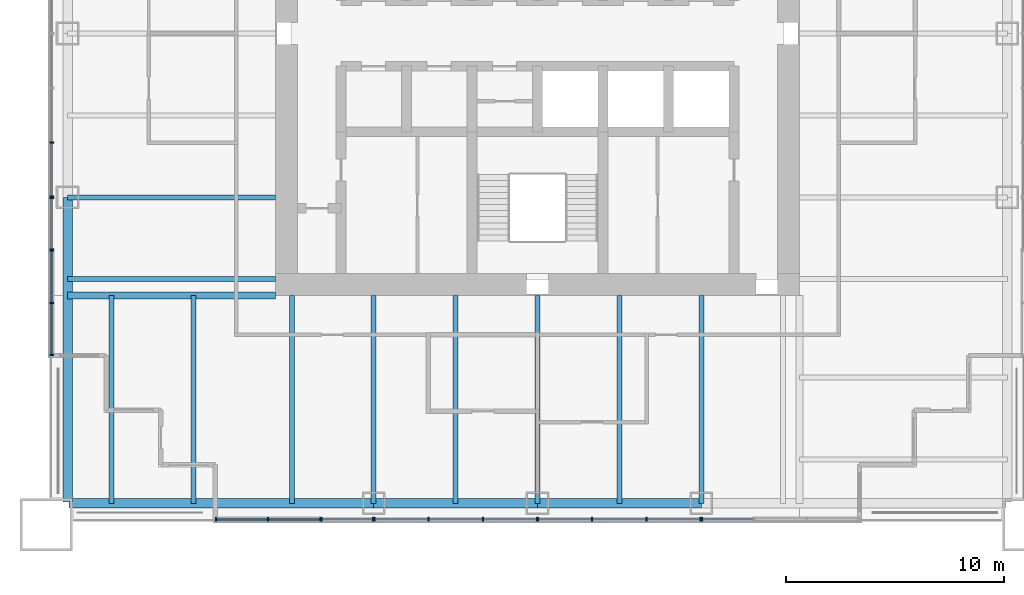
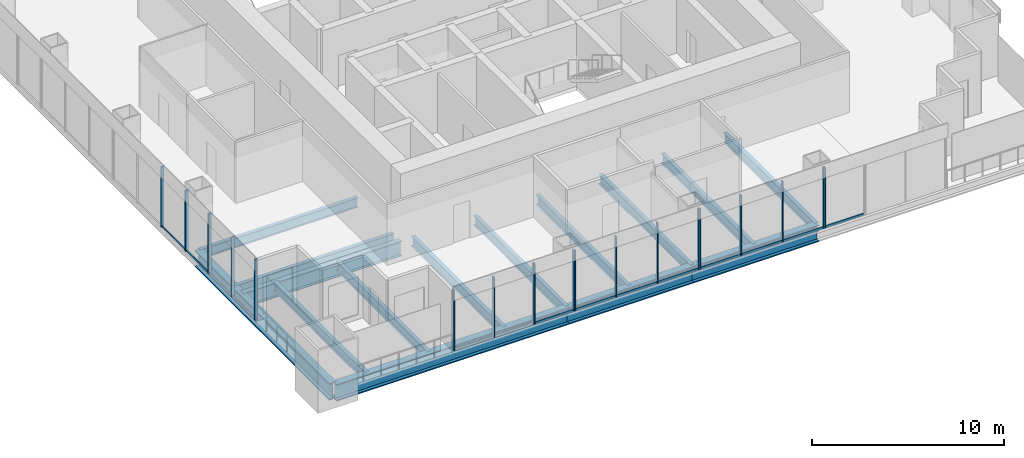
# One storey, part 2 of 13: 35 members, 15 beams, 8 elements without a shape of their own.
"""IFC4 building model written with IfcOpenShell, lengths in metres."""

from ifc_helpers import new_model, si_unit, direction, frame, origin, origin_2d, place, context, subcontext, project, spatial, rectangle, i_section, extrude, material, material_profile, profile_set, type_object, element, aggregate, save


model = new_model("IFC4")

# Units and contexts
model_context = context("Model", 3, precision=1e-05, world=origin(), true_north=direction((0.0, 1.0)))
body_context = subcontext(model_context, "Body", "Model", "MODEL_VIEW")
ifc_project = project(units=[si_unit("LENGTHUNIT", "METRE"), si_unit("AREAUNIT", "SQUARE_METRE"), si_unit("VOLUMEUNIT", "CUBIC_METRE"), si_unit("PLANEANGLEUNIT", "RADIAN"), si_unit("MASSUNIT", "GRAM", prefix="KILO")], contexts=[model_context])

# Site, building, storey
site_placement = place(None, origin())
site = spatial("IfcSite", under=ifc_project, at=site_placement, CompositionType="ELEMENT")
building_placement = place(site_placement, origin())
building = spatial("IfcBuilding", under=site, at=building_placement, Name="Tarangal Relay Tower", CompositionType="ELEMENT")
storey_placement = place(building_placement, frame((0.0, 0.0, 221.89990234375)))
storey = spatial("IfcBuildingStorey", under=building, at=storey_placement, Name="L47", CompositionType="ELEMENT", Elevation=221.89990234375)

# Beams
ifc_material_1 = material(Name="Steel ASTM A992", Category="steel")
ifc_material_profile_1 = material_profile(ifc_material_1, i_section(OverallWidth=0.227783203125, OverallDepth=0.60205078125, WebThickness=0.010498046875, FlangeThickness=0.014892578125, at=origin_2d()), Name="W24X68")
ifc_profile_set_1 = profile_set([ifc_material_profile_1], Name="Steel ASTM A992")
beam_type_1 = type_object("IfcBeamType", Name="Corner beam W24X68", PredefinedType="JOIST", material=ifc_profile_set_1)
for number, where, z_axis, x_axis, name in (
    (1, (-15.75, -12.0, -0.450927734375), (0.0, -1.0, 0.0), (1.0, 0.0, 0.0), "Corner beam CB11 S L47"),
    (2, (-19.5, -12.0, -0.450927734375), (0.0, -1.0, 0.0), (1.0, 0.0, 0.0), "Corner beam CB11 S L47"),
):
    element("IfcBeam", number, at=place(storey_placement, frame(where, z_axis=z_axis, x_axis=x_axis)), inside=storey, type_object=beam_type_1, Name=name, PredefinedType="JOIST", context=body_context, shape_type="SweptSolid", body=[
        extrude(i_section(OverallWidth=0.227783203125, OverallDepth=0.60205078125, WebThickness=0.010498046875, FlangeThickness=0.014892578125, at=origin_2d()), origin(), (0.0, 0.0, 1.0), 9.514892578125),
    ])
ifc_material_profile_2 = material_profile(ifc_material_1, i_section(OverallWidth=0.307373046875, OverallDepth=0.9423828125, WebThickness=0.022216796875, FlangeThickness=0.039794921875, at=origin_2d()), Name="W36X232")
ifc_profile_set_2 = profile_set([ifc_material_profile_2], Name="Steel ASTM A992")
beam_type_2 = type_object("IfcBeamType", Name="Corner girder W36X232", PredefinedType="BEAM", material=ifc_profile_set_2)
beam_placement = place(storey_placement, frame((-12.0, -12.0, -0.62109375), z_axis=(-1.0, 0.0, 0.0), x_axis=(0.0, -1.0, 0.0)))
element("IfcBeam", 3, at=beam_placement, inside=storey, type_object=beam_type_2, Name="Corner girder CG4 S L47", PredefinedType="BEAM", context=body_context, shape_type="SweptSolid", body=[
    extrude(i_section(OverallWidth=0.307373046875, OverallDepth=0.9423828125, WebThickness=0.022216796875, FlangeThickness=0.039794921875, at=origin_2d()), origin(), (0.0, 0.0, 1.0), 9.514892578125),
])
ifc_material_profile_3 = material_profile(ifc_material_1, i_section(OverallWidth=0.41650390625, OverallDepth=1.0693359375, WebThickness=0.0390625, FlangeThickness=0.070068359375, at=origin_2d()), Name="W40X503")
ifc_profile_set_3 = profile_set([ifc_material_profile_3], Name="Steel ASTM A992")
beam_type_3 = type_object("IfcBeamType", Name="Edge girder W40X503", PredefinedType="SPANDREL", material=ifc_profile_set_3)
for number, where, z_axis, x_axis, name in (
    (4, (7.5, -21.514892578125, -0.6845703125), (-1.0, 0.0, 0.0), (0.0, -1.0, 0.0), "Edge girder EG8 S L47"),
    (5, (0.0, -21.514892578125, -0.6845703125), (-1.0, 0.0, 0.0), (0.0, -1.0, 0.0), "Edge girder EG8 S L47"),
):
    element("IfcBeam", number, at=place(storey_placement, frame(where, z_axis=z_axis, x_axis=x_axis)), inside=storey, type_object=beam_type_3, Name=name, PredefinedType="SPANDREL", context=body_context, shape_type="SweptSolid", body=[
        extrude(i_section(OverallWidth=0.41650390625, OverallDepth=1.0693359375, WebThickness=0.0390625, FlangeThickness=0.070068359375, at=origin_2d()), origin(), (0.0, 0.0, 1.0), 7.5),
    ])
for number, where, z_axis, x_axis, name in (
    (6, (-7.5, -21.514892578125, -0.6845703125), (-1.0, 0.0, 0.0), (0.0, -1.0, 0.0), "Edge girder EG8 S L47"),
    (7, (-21.514892578125, -21.449951171875, -0.6845703125), (0.0, 1.0, 0.0), (-1.0, 0.0, 0.0), "Edge girder EG8 W L47"),
):
    element("IfcBeam", number, at=place(storey_placement, frame(where, z_axis=z_axis, x_axis=x_axis)), inside=storey, type_object=beam_type_3, Name=name, PredefinedType="SPANDREL", context=body_context, shape_type="SweptSolid", body=[
        extrude(i_section(OverallWidth=0.41650390625, OverallDepth=1.0693359375, WebThickness=0.0390625, FlangeThickness=0.070068359375, at=origin_2d()), origin(), (0.0, 0.0, 1.0), 13.949951171875),
    ])
ifc_material_profile_4 = material_profile(ifc_material_1, i_section(OverallWidth=0.22900390625, OverallDepth=0.612060546875, WebThickness=0.011962890625, FlangeThickness=0.01953125, at=origin_2d()), Name="W24X84")
ifc_profile_set_4 = profile_set([ifc_material_profile_4], Name="Steel ASTM A992")
beam_type_4 = type_object("IfcBeamType", Name="Floor beam W24X84", PredefinedType="BEAM", material=ifc_profile_set_4)
for number, where, z_axis, x_axis, name in (
    (8, (7.5, -12.0, -0.455810546875), (0.0, -1.0, 0.0), (1.0, 0.0, 0.0), "Floor beam RB12 S L47"),
    (9, (3.75, -12.0, -0.455810546875), (0.0, -1.0, 0.0), (1.0, 0.0, 0.0), "Floor beam RB12 S L47"),
    (10, (0.0, -12.0, -0.455810546875), (0.0, -1.0, 0.0), (1.0, 0.0, 0.0), "Floor beam RB12 S L47"),
    (11, (-3.75, -12.0, -0.455810546875), (0.0, -1.0, 0.0), (1.0, 0.0, 0.0), "Floor beam RB12 S L47"),
    (12, (-7.5, -12.0, -0.455810546875), (0.0, -1.0, 0.0), (1.0, 0.0, 0.0), "Floor beam RB12 S L47"),
    (13, (-11.25, -12.0, -0.455810546875), (0.0, -1.0, 0.0), (1.0, 0.0, 0.0), "Floor beam RB12 S L47"),
    (14, (-12.0, -11.25, -0.455810546875), (-1.0, 0.0, 0.0), (0.0, -1.0, 0.0), "Floor beam RB12 W L47"),
    (15, (-12.0, -7.5, -0.455810546875), (-1.0, 0.0, 0.0), (0.0, -1.0, 0.0), "Floor beam RB12 W L47"),
):
    element("IfcBeam", number, at=place(storey_placement, frame(where, z_axis=z_axis, x_axis=x_axis)), inside=storey, type_object=beam_type_4, Name=name, PredefinedType="BEAM", context=body_context, shape_type="SweptSolid", body=[
        extrude(i_section(OverallWidth=0.22900390625, OverallDepth=0.612060546875, WebThickness=0.011962890625, FlangeThickness=0.01953125, at=origin_2d()), origin(), (0.0, 0.0, 1.0), 9.514892578125),
    ])

# Curtain wall, member
ifc_material_2 = material(Name="Unitised curtain wall, dark glass and black aluminium", Category="aluminium")
curtain_wall_type_1 = type_object("IfcCurtainWallType", Name="Curtain wall CW-A", PredefinedType="USERDEFINED", material=ifc_material_2)
curtain_wall_1_placement = place(storey_placement, origin())
curtain_wall_1 = element("IfcCurtainWall", 16, at=curtain_wall_1_placement, inside=storey, type_object=curtain_wall_type_1, Name="Curtain wall CW-A S facade L47", ObjectType="UNITISED CURTAIN WALL", PredefinedType="USERDEFINED")
ifc_material_3 = material(Name="Black anodised aluminium mullion", Category="aluminium")
ifc_material_profile_5 = material_profile(ifc_material_3, rectangle(XDim=0.175048828125, YDim=0.06494140625, at=origin_2d()), Name="CW-AM 65X175")
ifc_profile_set_5 = profile_set([ifc_material_profile_5], Name="Black anodised aluminium mullion")
member_type_1 = type_object("IfcMemberType", Name="Mullion CW-A 65 x 175", PredefinedType="MULLION", material=ifc_profile_set_5)
member_1_placement = place(storey_placement, frame((7.532470703125, -22.25, 0.0), z_axis=(0.0, 0.0, 1.0), x_axis=(0.0, -1.0, 0.0)))
member_1 = element("IfcMember", 17, at=member_1_placement, type_object=member_type_1, Name="CW-A mullion 2", PredefinedType="MULLION", context=body_context, shape_type="SweptSolid", body=[
    extrude(rectangle(XDim=0.175048828125, YDim=0.06494140625, at=origin_2d()), origin(), (0.0, 0.0, 1.0), 3.85009765625),
])

# Curtain wall, members
curtain_wall_2_placement = place(storey_placement, origin())
curtain_wall_2 = element("IfcCurtainWall", 18, at=curtain_wall_2_placement, inside=storey, type_object=curtain_wall_type_1, Name="Curtain wall CW-A S facade L47", ObjectType="UNITISED CURTAIN WALL", PredefinedType="USERDEFINED")
member_2_placement = place(storey_placement, frame((7.467529296875, -22.25, 0.0), z_axis=(0.0, 0.0, 1.0), x_axis=(0.0, -1.0, 0.0)))
member_2 = element("IfcMember", 19, at=member_2_placement, type_object=member_type_1, Name="CW-A mullion 1", PredefinedType="MULLION", context=body_context, shape_type="SweptSolid", body=[
    extrude(rectangle(XDim=0.175048828125, YDim=0.06494140625, at=origin_2d()), origin(), (0.0, 0.0, 1.0), 3.85009765625),
])
member_3_placement = place(storey_placement, frame((5.0, -22.25, 0.0), z_axis=(0.0, 0.0, 1.0), x_axis=(0.0, -1.0, 0.0)))
member_3 = element("IfcMember", 20, at=member_3_placement, type_object=member_type_1, Name="CW-A mullion 2", PredefinedType="MULLION", context=body_context, shape_type="SweptSolid", body=[
    extrude(rectangle(XDim=0.175048828125, YDim=0.06494140625, at=origin_2d()), origin(), (0.0, 0.0, 1.0), 3.85009765625),
])
member_4_placement = place(storey_placement, frame((2.5, -22.25, 0.0), z_axis=(0.0, 0.0, 1.0), x_axis=(0.0, -1.0, 0.0)))
member_4 = element("IfcMember", 21, at=member_4_placement, type_object=member_type_1, Name="CW-A mullion 3", PredefinedType="MULLION", context=body_context, shape_type="SweptSolid", body=[
    extrude(rectangle(XDim=0.175048828125, YDim=0.06494140625, at=origin_2d()), origin(), (0.0, 0.0, 1.0), 3.85009765625),
])
member_5_placement = place(storey_placement, frame((0.032470703125, -22.25, 0.0), z_axis=(0.0, 0.0, 1.0), x_axis=(0.0, -1.0, 0.0)))
member_5 = element("IfcMember", 22, at=member_5_placement, type_object=member_type_1, Name="CW-A mullion 4", PredefinedType="MULLION", context=body_context, shape_type="SweptSolid", body=[
    extrude(rectangle(XDim=0.175048828125, YDim=0.06494140625, at=origin_2d()), origin(), (0.0, 0.0, 1.0), 3.85009765625),
])

curtain_wall_3_placement = place(storey_placement, origin())
curtain_wall_3 = element("IfcCurtainWall", 23, at=curtain_wall_3_placement, inside=storey, type_object=curtain_wall_type_1, Name="Curtain wall CW-A S facade L47", ObjectType="UNITISED CURTAIN WALL", PredefinedType="USERDEFINED")
member_6_placement = place(storey_placement, frame((-0.032470703125, -22.25, 0.0), z_axis=(0.0, 0.0, 1.0), x_axis=(0.0, -1.0, 0.0)))
member_6 = element("IfcMember", 24, at=member_6_placement, type_object=member_type_1, Name="CW-A mullion 1", PredefinedType="MULLION", context=body_context, shape_type="SweptSolid", body=[
    extrude(rectangle(XDim=0.175048828125, YDim=0.06494140625, at=origin_2d()), origin(), (0.0, 0.0, 1.0), 3.85009765625),
])
member_7_placement = place(storey_placement, frame((-2.5, -22.25, 0.0), z_axis=(0.0, 0.0, 1.0), x_axis=(0.0, -1.0, 0.0)))
member_7 = element("IfcMember", 25, at=member_7_placement, type_object=member_type_1, Name="CW-A mullion 2", PredefinedType="MULLION", context=body_context, shape_type="SweptSolid", body=[
    extrude(rectangle(XDim=0.175048828125, YDim=0.06494140625, at=origin_2d()), origin(), (0.0, 0.0, 1.0), 3.85009765625),
])
member_8_placement = place(storey_placement, frame((-5.0, -22.25, 0.0), z_axis=(0.0, 0.0, 1.0), x_axis=(0.0, -1.0, 0.0)))
member_8 = element("IfcMember", 26, at=member_8_placement, type_object=member_type_1, Name="CW-A mullion 3", PredefinedType="MULLION", context=body_context, shape_type="SweptSolid", body=[
    extrude(rectangle(XDim=0.175048828125, YDim=0.06494140625, at=origin_2d()), origin(), (0.0, 0.0, 1.0), 3.85009765625),
])
member_9_placement = place(storey_placement, frame((-7.467529296875, -22.25, 0.0), z_axis=(0.0, 0.0, 1.0), x_axis=(0.0, -1.0, 0.0)))
member_9 = element("IfcMember", 27, at=member_9_placement, type_object=member_type_1, Name="CW-A mullion 4", PredefinedType="MULLION", context=body_context, shape_type="SweptSolid", body=[
    extrude(rectangle(XDim=0.175048828125, YDim=0.06494140625, at=origin_2d()), origin(), (0.0, 0.0, 1.0), 3.85009765625),
])

curtain_wall_4_placement = place(storey_placement, origin())
curtain_wall_4 = element("IfcCurtainWall", 28, at=curtain_wall_4_placement, inside=storey, type_object=curtain_wall_type_1, Name="Curtain wall CW-A S facade L47", ObjectType="UNITISED CURTAIN WALL", PredefinedType="USERDEFINED")
member_10_placement = place(storey_placement, frame((-7.532470703125, -22.25, 0.0), z_axis=(0.0, 0.0, 1.0), x_axis=(0.0, -1.0, 0.0)))
member_10 = element("IfcMember", 29, at=member_10_placement, type_object=member_type_1, Name="CW-A mullion 1", PredefinedType="MULLION", context=body_context, shape_type="SweptSolid", body=[
    extrude(rectangle(XDim=0.175048828125, YDim=0.06494140625, at=origin_2d()), origin(), (0.0, 0.0, 1.0), 3.85009765625),
])
member_11_placement = place(storey_placement, frame((-9.88427734375, -22.25, 0.0), z_axis=(0.0, 0.0, 1.0), x_axis=(0.0, -1.0, 0.0)))
member_11 = element("IfcMember", 30, at=member_11_placement, type_object=member_type_1, Name="CW-A mullion 2", PredefinedType="MULLION", context=body_context, shape_type="SweptSolid", body=[
    extrude(rectangle(XDim=0.175048828125, YDim=0.06494140625, at=origin_2d()), origin(), (0.0, 0.0, 1.0), 3.85009765625),
])

curtain_wall_5_placement = place(storey_placement, origin())
curtain_wall_5 = element("IfcCurtainWall", 31, at=curtain_wall_5_placement, inside=storey, type_object=curtain_wall_type_1, Name="Curtain wall CW-A W facade L47", ObjectType="UNITISED CURTAIN WALL", PredefinedType="USERDEFINED")
member_12_placement = place(storey_placement, frame((-22.25, -9.88427734375, 0.0), z_axis=(0.0, 0.0, 1.0), x_axis=(-1.0, 0.0, 0.0)))
member_12 = element("IfcMember", 32, at=member_12_placement, type_object=member_type_1, Name="CW-A mullion 1", PredefinedType="MULLION", context=body_context, shape_type="SweptSolid", body=[
    extrude(rectangle(XDim=0.175048828125, YDim=0.06494140625, at=origin_2d()), origin(), (0.0, 0.0, 1.0), 3.85009765625),
])
member_13_placement = place(storey_placement, frame((-22.25, -7.532470703125, 0.0), z_axis=(0.0, 0.0, 1.0), x_axis=(-1.0, 0.0, 0.0)))
member_13 = element("IfcMember", 33, at=member_13_placement, type_object=member_type_1, Name="CW-A mullion 2", PredefinedType="MULLION", context=body_context, shape_type="SweptSolid", body=[
    extrude(rectangle(XDim=0.175048828125, YDim=0.06494140625, at=origin_2d()), origin(), (0.0, 0.0, 1.0), 3.85009765625),
])

curtain_wall_6_placement = place(storey_placement, origin())
curtain_wall_6 = element("IfcCurtainWall", 34, at=curtain_wall_6_placement, inside=storey, type_object=curtain_wall_type_1, Name="Curtain wall CW-A W facade L47", ObjectType="UNITISED CURTAIN WALL", PredefinedType="USERDEFINED")
member_14_placement = place(storey_placement, frame((-22.25, -7.467529296875, 0.0), z_axis=(0.0, 0.0, 1.0), x_axis=(-1.0, 0.0, 0.0)))
member_14 = element("IfcMember", 35, at=member_14_placement, type_object=member_type_1, Name="CW-A mullion 1", PredefinedType="MULLION", context=body_context, shape_type="SweptSolid", body=[
    extrude(rectangle(XDim=0.175048828125, YDim=0.06494140625, at=origin_2d()), origin(), (0.0, 0.0, 1.0), 3.85009765625),
])
member_15_placement = place(storey_placement, frame((-22.25, -5.0, 0.0), z_axis=(0.0, 0.0, 1.0), x_axis=(-1.0, 0.0, 0.0)))
member_15 = element("IfcMember", 36, at=member_15_placement, type_object=member_type_1, Name="CW-A mullion 2", PredefinedType="MULLION", context=body_context, shape_type="SweptSolid", body=[
    extrude(rectangle(XDim=0.175048828125, YDim=0.06494140625, at=origin_2d()), origin(), (0.0, 0.0, 1.0), 3.85009765625),
])

ifc_material_4 = material(Name="Unitised curtain wall frame, black aluminium, with metal clad infill walls", Category="aluminium")
curtain_wall_type_2 = type_object("IfcCurtainWallType", Name="Curtain wall CW-AO", PredefinedType="USERDEFINED", material=ifc_material_4)
curtain_wall_7_placement = place(storey_placement, origin())
curtain_wall_7 = element("IfcCurtainWall", 37, at=curtain_wall_7_placement, inside=storey, type_object=curtain_wall_type_2, Name="Curtain wall CW-AO S facade L47", ObjectType="UNITISED CURTAIN WALL", PredefinedType="USERDEFINED")
ifc_material_profile_6 = material_profile(ifc_material_3, rectangle(XDim=0.175048828125, YDim=0.06494140625, at=origin_2d()), Name="CW-AOM 65X175")
ifc_profile_set_6 = profile_set([ifc_material_profile_6], Name="Black anodised aluminium mullion")
member_type_2 = type_object("IfcMemberType", Name="Mullion CW-AO 65 x 175", PredefinedType="MULLION", material=ifc_profile_set_6)
member_16_placement = place(storey_placement, frame((-9.94921875, -22.25, 0.0), z_axis=(0.0, 0.0, 1.0), x_axis=(0.0, -1.0, 0.0)))
member_16 = element("IfcMember", 38, at=member_16_placement, type_object=member_type_2, Name="CW-AO mullion 1", PredefinedType="MULLION", context=body_context, shape_type="SweptSolid", body=[
    extrude(rectangle(XDim=0.175048828125, YDim=0.06494140625, at=origin_2d()), origin(), (0.0, 0.0, 1.0), 3.85009765625),
])
member_17_placement = place(storey_placement, frame((-12.333251953125, -22.25, 0.0), z_axis=(0.0, 0.0, 1.0), x_axis=(0.0, -1.0, 0.0)))
member_17 = element("IfcMember", 39, at=member_17_placement, type_object=member_type_2, Name="CW-AO mullion 2", PredefinedType="MULLION", context=body_context, shape_type="SweptSolid", body=[
    extrude(rectangle(XDim=0.175048828125, YDim=0.06494140625, at=origin_2d()), origin(), (0.0, 0.0, 1.0), 3.85009765625),
])
member_18_placement = place(storey_placement, frame((-14.717529296875, -22.25, 0.0), z_axis=(0.0, 0.0, 1.0), x_axis=(0.0, -1.0, 0.0)))
member_18 = element("IfcMember", 40, at=member_18_placement, type_object=member_type_2, Name="CW-AO mullion 3", PredefinedType="MULLION", context=body_context, shape_type="SweptSolid", body=[
    extrude(rectangle(XDim=0.175048828125, YDim=0.06494140625, at=origin_2d()), origin(), (0.0, 0.0, 1.0), 3.85009765625),
])

curtain_wall_8_placement = place(storey_placement, origin())
curtain_wall_8 = element("IfcCurtainWall", 41, at=curtain_wall_8_placement, inside=storey, type_object=curtain_wall_type_2, Name="Curtain wall CW-AO W facade L47", ObjectType="UNITISED CURTAIN WALL", PredefinedType="USERDEFINED")
member_19_placement = place(storey_placement, frame((-22.25, -14.717529296875, 0.0), z_axis=(0.0, 0.0, 1.0), x_axis=(-1.0, 0.0, 0.0)))
member_19 = element("IfcMember", 42, at=member_19_placement, type_object=member_type_2, Name="CW-AO mullion 1", PredefinedType="MULLION", context=body_context, shape_type="SweptSolid", body=[
    extrude(rectangle(XDim=0.175048828125, YDim=0.06494140625, at=origin_2d()), origin(), (0.0, 0.0, 1.0), 3.85009765625),
])
member_20_placement = place(storey_placement, frame((-22.25, -12.333251953125, 0.0), z_axis=(0.0, 0.0, 1.0), x_axis=(-1.0, 0.0, 0.0)))
member_20 = element("IfcMember", 43, at=member_20_placement, type_object=member_type_2, Name="CW-AO mullion 2", PredefinedType="MULLION", context=body_context, shape_type="SweptSolid", body=[
    extrude(rectangle(XDim=0.175048828125, YDim=0.06494140625, at=origin_2d()), origin(), (0.0, 0.0, 1.0), 3.85009765625),
])
member_21_placement = place(storey_placement, frame((-22.25, -9.94921875, 0.0), z_axis=(0.0, 0.0, 1.0), x_axis=(-1.0, 0.0, 0.0)))
member_21 = element("IfcMember", 44, at=member_21_placement, type_object=member_type_2, Name="CW-AO mullion 3", PredefinedType="MULLION", context=body_context, shape_type="SweptSolid", body=[
    extrude(rectangle(XDim=0.175048828125, YDim=0.06494140625, at=origin_2d()), origin(), (0.0, 0.0, 1.0), 3.85009765625),
])

# Member
ifc_material_5 = material(Name="Black anodised aluminium transom", Category="aluminium")
ifc_material_profile_7 = material_profile(ifc_material_5, rectangle(XDim=0.06494140625, YDim=0.14990234375, at=origin_2d()), Name="CW-AT 65X150")
ifc_profile_set_7 = profile_set([ifc_material_profile_7], Name="Black anodised aluminium transom")
member_type_3 = type_object("IfcMemberType", Name="Transom CW-A 65 x 150", PredefinedType="USERDEFINED", material=ifc_profile_set_7)
member_22_placement = place(storey_placement, frame((9.851806640625, -22.25, 0.03271484375), z_axis=(-1.0, 0.0, 0.0), x_axis=(0.0, -1.0, 0.0)))
member_22 = element("IfcMember", 45, at=member_22_placement, type_object=member_type_3, Name="CW-A transom 1.1", ObjectType="TRANSOM", PredefinedType="USERDEFINED", context=body_context, shape_type="SweptSolid", body=[
    extrude(rectangle(XDim=0.06494140625, YDim=0.14990234375, at=origin_2d()), origin(), (0.0, 0.0, 1.0), 2.286865234375),
])

aggregate(curtain_wall_1, [member_1, member_22])

member_23_placement = place(storey_placement, frame((7.43505859375, -22.25, 0.03271484375), z_axis=(-1.0, 0.0, 0.0), x_axis=(0.0, -1.0, 0.0)))
member_23 = element("IfcMember", 46, at=member_23_placement, type_object=member_type_3, Name="CW-A transom 1.1", ObjectType="TRANSOM", PredefinedType="USERDEFINED", context=body_context, shape_type="SweptSolid", body=[
    extrude(rectangle(XDim=0.06494140625, YDim=0.14990234375, at=origin_2d()), origin(), (0.0, 0.0, 1.0), 2.402587890625),
])

member_24_placement = place(storey_placement, frame((4.967529296875, -22.25, 0.03271484375), z_axis=(-1.0, 0.0, 0.0), x_axis=(0.0, -1.0, 0.0)))
member_24 = element("IfcMember", 47, at=member_24_placement, type_object=member_type_3, Name="CW-A transom 2.1", ObjectType="TRANSOM", PredefinedType="USERDEFINED", context=body_context, shape_type="SweptSolid", body=[
    extrude(rectangle(XDim=0.06494140625, YDim=0.14990234375, at=origin_2d()), origin(), (0.0, 0.0, 1.0), 2.43505859375),
])

member_25_placement = place(storey_placement, frame((2.467529296875, -22.25, 0.03271484375), z_axis=(-1.0, 0.0, 0.0), x_axis=(0.0, -1.0, 0.0)))
member_25 = element("IfcMember", 48, at=member_25_placement, type_object=member_type_3, Name="CW-A transom 3.1", ObjectType="TRANSOM", PredefinedType="USERDEFINED", context=body_context, shape_type="SweptSolid", body=[
    extrude(rectangle(XDim=0.06494140625, YDim=0.14990234375, at=origin_2d()), origin(), (0.0, 0.0, 1.0), 2.402587890625),
])

aggregate(curtain_wall_2, [member_2, member_3, member_4, member_5, member_23, member_24, member_25])

member_26_placement = place(storey_placement, frame((-0.06494140625, -22.25, 0.03271484375), z_axis=(-1.0, 0.0, 0.0), x_axis=(0.0, -1.0, 0.0)))
member_26 = element("IfcMember", 49, at=member_26_placement, type_object=member_type_3, Name="CW-A transom 1.1", ObjectType="TRANSOM", PredefinedType="USERDEFINED", context=body_context, shape_type="SweptSolid", body=[
    extrude(rectangle(XDim=0.06494140625, YDim=0.14990234375, at=origin_2d()), origin(), (0.0, 0.0, 1.0), 2.402587890625),
])

member_27_placement = place(storey_placement, frame((-2.532470703125, -22.25, 0.03271484375), z_axis=(-1.0, 0.0, 0.0), x_axis=(0.0, -1.0, 0.0)))
member_27 = element("IfcMember", 50, at=member_27_placement, type_object=member_type_3, Name="CW-A transom 2.1", ObjectType="TRANSOM", PredefinedType="USERDEFINED", context=body_context, shape_type="SweptSolid", body=[
    extrude(rectangle(XDim=0.06494140625, YDim=0.14990234375, at=origin_2d()), origin(), (0.0, 0.0, 1.0), 2.43505859375),
])

member_28_placement = place(storey_placement, frame((-5.032470703125, -22.25, 0.03271484375), z_axis=(-1.0, 0.0, 0.0), x_axis=(0.0, -1.0, 0.0)))
member_28 = element("IfcMember", 51, at=member_28_placement, type_object=member_type_3, Name="CW-A transom 3.1", ObjectType="TRANSOM", PredefinedType="USERDEFINED", context=body_context, shape_type="SweptSolid", body=[
    extrude(rectangle(XDim=0.06494140625, YDim=0.14990234375, at=origin_2d()), origin(), (0.0, 0.0, 1.0), 2.402587890625),
])

aggregate(curtain_wall_3, [member_6, member_7, member_8, member_9, member_26, member_27, member_28])

member_29_placement = place(storey_placement, frame((-7.56494140625, -22.25, 0.03271484375), z_axis=(-1.0, 0.0, 0.0), x_axis=(0.0, -1.0, 0.0)))
member_29 = element("IfcMember", 52, at=member_29_placement, type_object=member_type_3, Name="CW-A transom 1.1", ObjectType="TRANSOM", PredefinedType="USERDEFINED", context=body_context, shape_type="SweptSolid", body=[
    extrude(rectangle(XDim=0.06494140625, YDim=0.14990234375, at=origin_2d()), origin(), (0.0, 0.0, 1.0), 2.286865234375),
])

aggregate(curtain_wall_4, [member_10, member_11, member_29])

member_30_placement = place(storey_placement, frame((-22.25, -9.851806640625, 0.03271484375), z_axis=(0.0, 1.0, 0.0), x_axis=(-1.0, 0.0, 0.0)))
member_30 = element("IfcMember", 53, at=member_30_placement, type_object=member_type_3, Name="CW-A transom 1.1", ObjectType="TRANSOM", PredefinedType="USERDEFINED", context=body_context, shape_type="SweptSolid", body=[
    extrude(rectangle(XDim=0.06494140625, YDim=0.14990234375, at=origin_2d()), origin(), (0.0, 0.0, 1.0), 2.286865234375),
])

aggregate(curtain_wall_5, [member_12, member_13, member_30])

member_31_placement = place(storey_placement, frame((-22.25, -7.43505859375, 0.03271484375), z_axis=(0.0, 1.0, 0.0), x_axis=(-1.0, 0.0, 0.0)))
member_31 = element("IfcMember", 54, at=member_31_placement, type_object=member_type_3, Name="CW-A transom 1.1", ObjectType="TRANSOM", PredefinedType="USERDEFINED", context=body_context, shape_type="SweptSolid", body=[
    extrude(rectangle(XDim=0.06494140625, YDim=0.14990234375, at=origin_2d()), origin(), (0.0, 0.0, 1.0), 2.402587890625),
])

aggregate(curtain_wall_6, [member_14, member_15, member_31])

ifc_material_profile_8 = material_profile(ifc_material_5, rectangle(XDim=0.06494140625, YDim=0.14990234375, at=origin_2d()), Name="CW-AOT 65X150")
ifc_profile_set_8 = profile_set([ifc_material_profile_8], Name="Black anodised aluminium transom")
member_type_4 = type_object("IfcMemberType", Name="Transom CW-AO 65 x 150", PredefinedType="USERDEFINED", material=ifc_profile_set_8)
member_32_placement = place(storey_placement, frame((-9.981689453125, -22.25, 0.03271484375), z_axis=(-1.0, 0.0, 0.0), x_axis=(0.0, -1.0, 0.0)))
member_32 = element("IfcMember", 55, at=member_32_placement, type_object=member_type_4, Name="CW-AO transom 1.1", ObjectType="TRANSOM", PredefinedType="USERDEFINED", context=body_context, shape_type="SweptSolid", body=[
    extrude(rectangle(XDim=0.06494140625, YDim=0.14990234375, at=origin_2d()), origin(), (0.0, 0.0, 1.0), 2.319091796875),
])

member_33_placement = place(storey_placement, frame((-12.365966796875, -22.25, 0.03271484375), z_axis=(-1.0, 0.0, 0.0), x_axis=(0.0, -1.0, 0.0)))
member_33 = element("IfcMember", 56, at=member_33_placement, type_object=member_type_4, Name="CW-AO transom 2.1", ObjectType="TRANSOM", PredefinedType="USERDEFINED", context=body_context, shape_type="SweptSolid", body=[
    extrude(rectangle(XDim=0.06494140625, YDim=0.14990234375, at=origin_2d()), origin(), (0.0, 0.0, 1.0), 2.319091796875),
])

aggregate(curtain_wall_7, [member_16, member_17, member_18, member_32, member_33])

member_34_placement = place(storey_placement, frame((-22.25, -14.68505859375, 0.03271484375), z_axis=(0.0, 1.0, 0.0), x_axis=(-1.0, 0.0, 0.0)))
member_34 = element("IfcMember", 57, at=member_34_placement, type_object=member_type_4, Name="CW-AO transom 1.1", ObjectType="TRANSOM", PredefinedType="USERDEFINED", context=body_context, shape_type="SweptSolid", body=[
    extrude(rectangle(XDim=0.06494140625, YDim=0.14990234375, at=origin_2d()), origin(), (0.0, 0.0, 1.0), 2.319091796875),
])

member_35_placement = place(storey_placement, frame((-22.25, -12.30078125, 0.03271484375), z_axis=(0.0, 1.0, 0.0), x_axis=(-1.0, 0.0, 0.0)))
member_35 = element("IfcMember", 58, at=member_35_placement, type_object=member_type_4, Name="CW-AO transom 2.1", ObjectType="TRANSOM", PredefinedType="USERDEFINED", context=body_context, shape_type="SweptSolid", body=[
    extrude(rectangle(XDim=0.06494140625, YDim=0.14990234375, at=origin_2d()), origin(), (0.0, 0.0, 1.0), 2.319091796875),
])

aggregate(curtain_wall_8, [member_19, member_20, member_21, member_34, member_35])

save(model, "model.ifc")
